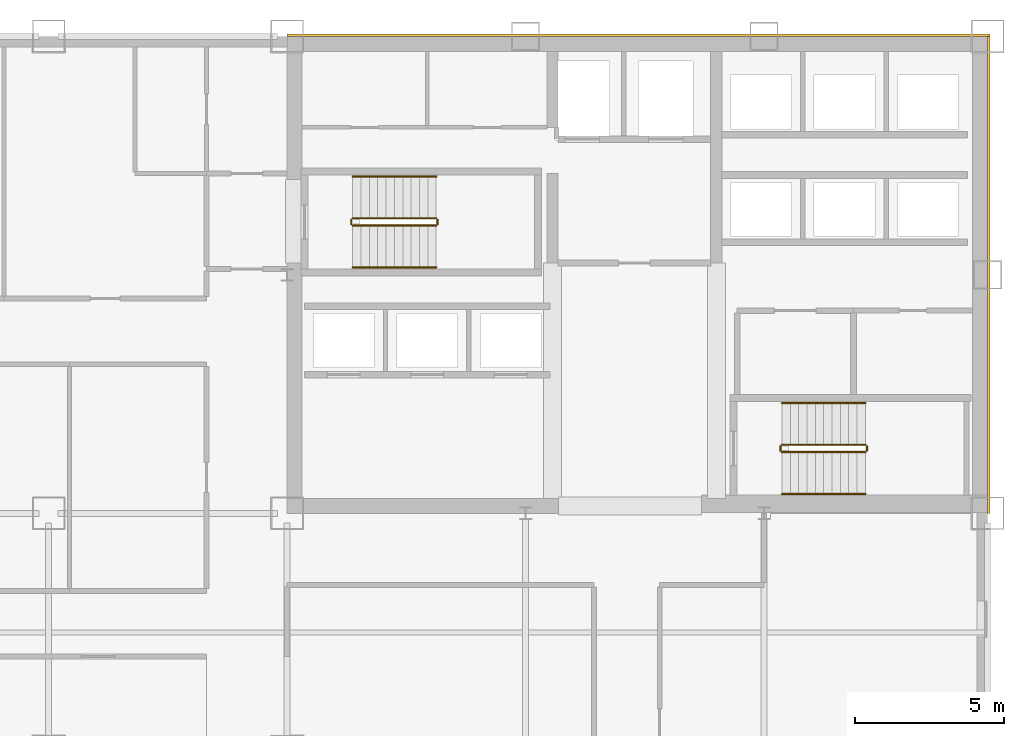
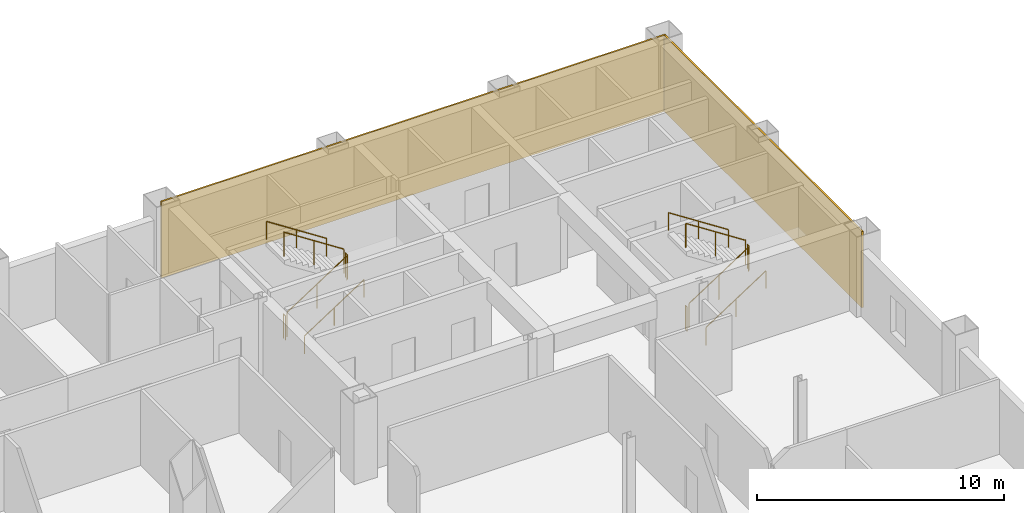
# One storey, part 10 of 10: 12 railings, 2 coverings.
"""IFC4 building model written with IfcOpenShell, lengths in metres."""

from ifc_helpers import new_model, si_unit, direction, frame, origin, origin_2d, place, context, subcontext, project, spatial, rectangle, circle, extrude, material, layer, layer_set, type_object, element, save


model = new_model("IFC4")

# Units and contexts
model_context = context("Model", 3, precision=1e-05, world=origin(), true_north=direction((0.0, 1.0)))
body_context = subcontext(model_context, "Body", "Model", "MODEL_VIEW")
ifc_project = project(units=[si_unit("LENGTHUNIT", "METRE"), si_unit("AREAUNIT", "SQUARE_METRE"), si_unit("VOLUMEUNIT", "CUBIC_METRE"), si_unit("PLANEANGLEUNIT", "RADIAN"), si_unit("MASSUNIT", "GRAM", prefix="KILO")], contexts=[model_context])

# Site, building, storey
site_placement = place(None, origin())
site = spatial("IfcSite", under=ifc_project, at=site_placement, CompositionType="ELEMENT")
building_placement = place(site_placement, origin())
building = spatial("IfcBuilding", under=site, at=building_placement, Name="Qianrong Seaharbour Tower", CompositionType="ELEMENT")
storey_placement = place(building_placement, frame((0.0, 0.0, 183.0)))
storey = spatial("IfcBuildingStorey", under=building, at=storey_placement, Name="L44", CompositionType="ELEMENT", Elevation=183.0)

# Coverings
ifc_material_1 = material(Name="Unitised red brick cladding on Precast concrete C45/55", Category="masonry")
ifc_layer = layer(ifc_material_1, 0.080078125)
ifc_layer_set = layer_set([ifc_layer], Name="Unitised red brick cladding on Precast concrete C45/55")
covering_type = type_object("IfcCoveringType", Name="COV-CLAD-RED-BRICK-80", PredefinedType="CLADDING", material=ifc_layer_set)
covering_1_placement = place(storey_placement, frame((52.2900390625, 52.0400390625, 0.0), z_axis=(0.0, 0.0, 1.0), x_axis=(1.0, 0.0, 0.0)))
element("IfcCovering", 1, at=covering_1_placement, inside=storey, type_object=covering_type, Name="L44 North Core Brick Veneer Cladding", PredefinedType="CLADDING", context=body_context, shape_type="SweptSolid", body=[
    extrude(rectangle(XDim=23.580078125, YDim=0.080078125, at=origin_2d()), origin(), (0.0, 0.0, 1.0), 3.764892578125),
])
covering_2_placement = place(storey_placement, frame((64.0400390625, 44.0, 0.0), z_axis=(0.0, 0.0, 1.0), x_axis=(1.0, 0.0, 0.0)))
element("IfcCovering", 2, at=covering_2_placement, inside=storey, type_object=covering_type, Name="L44 East Core Brick Veneer Cladding", PredefinedType="CLADDING", context=body_context, shape_type="SweptSolid", body=[
    extrude(rectangle(XDim=0.080078125, YDim=16.0, at=origin_2d()), origin(), (0.0, 0.0, 1.0), 3.764892578125),
])

# Railings
ifc_material_2 = material(Name="Galvanized painted steel SN400B stair guard", Category="steel")
railing_type_1 = type_object("IfcRailingType", Name="RAIL-STAIR-GUARD-1220", PredefinedType="GUARDRAIL", material=ifc_material_2)
railing_1_placement = place(storey_placement, frame((42.699951171875, 45.64990234375, 0.181884765625)))
element("IfcRailing", 3, at=railing_1_placement, inside=storey, type_object=railing_type_1, Name="L44 ST-1 stair guard 1", PredefinedType="GUARDRAIL", context=body_context, shape_type="SweptSolid", body=[
    extrude(circle(Radius=0.02392578125, at=origin_2d()), frame((0.0, 0.0, 1.19580078125), z_axis=(0.838705829183, 0.0, 0.544584733623), x_axis=(0.0, 1.0, 0.0)), (0.0, 0.0, 1.0), 3.338623046875),
    extrude(circle(Radius=0.02099609375, at=origin_2d()), origin(), (0.0, 0.0, 1.0), 1.171875),
    extrude(circle(Radius=0.02099609375, at=origin_2d()), frame((1.39990234375, 0.0, 0.9091796875)), (0.0, 0.0, 1.0), 1.171875),
    extrude(circle(Radius=0.02099609375, at=origin_2d()), frame((2.800048828125, 0.0, 1.818115234375)), (0.0, 0.0, 1.0), 1.171875),
])
railing_2_placement = place(storey_placement, frame((45.550048828125, 45.699951171875, 2.0)))
element("IfcRailing", 4, at=railing_2_placement, inside=storey, type_object=railing_type_1, Name="L44 ST-1 stair guard 2", PredefinedType="GUARDRAIL", context=body_context, shape_type="SweptSolid", body=[
    extrude(circle(Radius=0.02392578125, at=origin_2d()), frame((0.0, 0.0, 1.19580078125), z_axis=(0.0, 1.0, 0.0), x_axis=(-1.0, 0.0, 0.0)), (0.0, 0.0, 1.0), 0.150146484375),
    extrude(circle(Radius=0.02099609375, at=origin_2d()), origin(), (0.0, 0.0, 1.0), 1.171875),
    extrude(circle(Radius=0.02099609375, at=origin_2d()), frame((0.0, 0.150146484375, 0.0)), (0.0, 0.0, 1.0), 1.171875),
])
railing_3_placement = place(storey_placement, frame((45.5, 45.89990234375, 2.181884765625)))
element("IfcRailing", 5, at=railing_3_placement, inside=storey, type_object=railing_type_1, Name="L44 ST-1 stair guard 3", PredefinedType="GUARDRAIL", context=body_context, shape_type="SweptSolid", body=[
    extrude(circle(Radius=0.02392578125, at=origin_2d()), frame((0.0, 0.0, 1.19580078125), z_axis=(-0.838705829183, 0.0, 0.544584733623), x_axis=(0.0, -1.0, 0.0)), (0.0, 0.0, 1.0), 3.338623046875),
    extrude(circle(Radius=0.02099609375, at=origin_2d()), origin(), (0.0, 0.0, 1.0), 1.171875),
    extrude(circle(Radius=0.02099609375, at=origin_2d()), frame((-1.39990234375, 0.0, 0.9091796875)), (0.0, 0.0, 1.0), 1.171875),
    extrude(circle(Radius=0.02099609375, at=origin_2d()), frame((-2.800048828125, 0.0, 1.818115234375)), (0.0, 0.0, 1.0), 1.171875),
])
railing_4_placement = place(storey_placement, frame((42.64990234375, 45.699951171875, 0.0)))
element("IfcRailing", 6, at=railing_4_placement, inside=storey, type_object=railing_type_1, Name="L44 ST-1 stair guard 4", PredefinedType="GUARDRAIL", context=body_context, shape_type="SweptSolid", body=[
    extrude(circle(Radius=0.02392578125, at=origin_2d()), frame((0.0, 0.0, 1.19580078125), z_axis=(0.0, 1.0, 0.0), x_axis=(-1.0, 0.0, 0.0)), (0.0, 0.0, 1.0), 0.150146484375),
    extrude(circle(Radius=0.02099609375, at=origin_2d()), origin(), (0.0, 0.0, 1.0), 1.171875),
    extrude(circle(Radius=0.02099609375, at=origin_2d()), frame((0.0, 0.150146484375, 0.0)), (0.0, 0.0, 1.0), 1.171875),
])
railing_5_placement = place(storey_placement, frame((57.10009765625, 38.050048828125, 0.181884765625)))
element("IfcRailing", 7, at=railing_5_placement, inside=storey, type_object=railing_type_1, Name="L44 ST-2 stair guard 1", PredefinedType="GUARDRAIL", context=body_context, shape_type="SweptSolid", body=[
    extrude(circle(Radius=0.02392578125, at=origin_2d()), frame((0.0, 0.0, 1.19580078125), z_axis=(0.83868413941, 0.0, 0.544618136222), x_axis=(0.0, 1.0, 0.0)), (0.0, 0.0, 1.0), 3.33837890625),
    extrude(circle(Radius=0.02099609375, at=origin_2d()), origin(), (0.0, 0.0, 1.0), 1.171875),
    extrude(circle(Radius=0.02099609375, at=origin_2d()), frame((1.39990234375, 0.0, 0.9091796875)), (0.0, 0.0, 1.0), 1.171875),
    extrude(circle(Radius=0.02099609375, at=origin_2d()), frame((2.7998046875, 0.0, 1.818115234375)), (0.0, 0.0, 1.0), 1.171875),
])
railing_6_placement = place(storey_placement, frame((59.949951171875, 38.10009765625, 2.0)))
element("IfcRailing", 8, at=railing_6_placement, inside=storey, type_object=railing_type_1, Name="L44 ST-2 stair guard 2", PredefinedType="GUARDRAIL", context=body_context, shape_type="SweptSolid", body=[
    extrude(circle(Radius=0.02392578125, at=origin_2d()), frame((0.0, 0.0, 1.19580078125), z_axis=(0.0, 1.0, 0.0), x_axis=(-1.0, 0.0, 0.0)), (0.0, 0.0, 1.0), 0.14990234375),
    extrude(circle(Radius=0.02099609375, at=origin_2d()), origin(), (0.0, 0.0, 1.0), 1.171875),
    extrude(circle(Radius=0.02099609375, at=origin_2d()), frame((0.0, 0.14990234375, 0.0)), (0.0, 0.0, 1.0), 1.171875),
])
railing_7_placement = place(storey_placement, frame((59.89990234375, 38.300048828125, 2.181884765625)))
element("IfcRailing", 9, at=railing_7_placement, inside=storey, type_object=railing_type_1, Name="L44 ST-2 stair guard 3", PredefinedType="GUARDRAIL", context=body_context, shape_type="SweptSolid", body=[
    extrude(circle(Radius=0.02392578125, at=origin_2d()), frame((0.0, 0.0, 1.19580078125), z_axis=(-0.83868413941, 0.0, 0.544618136222), x_axis=(0.0, -1.0, 0.0)), (0.0, 0.0, 1.0), 3.33837890625),
    extrude(circle(Radius=0.02099609375, at=origin_2d()), origin(), (0.0, 0.0, 1.0), 1.171875),
    extrude(circle(Radius=0.02099609375, at=origin_2d()), frame((-1.39990234375, 0.0, 0.9091796875)), (0.0, 0.0, 1.0), 1.171875),
    extrude(circle(Radius=0.02099609375, at=origin_2d()), frame((-2.7998046875, 0.0, 1.818115234375)), (0.0, 0.0, 1.0), 1.171875),
])
railing_8_placement = place(storey_placement, frame((57.050048828125, 38.10009765625, 0.0)))
element("IfcRailing", 10, at=railing_8_placement, inside=storey, type_object=railing_type_1, Name="L44 ST-2 stair guard 4", PredefinedType="GUARDRAIL", context=body_context, shape_type="SweptSolid", body=[
    extrude(circle(Radius=0.02392578125, at=origin_2d()), frame((0.0, 0.0, 1.19580078125), z_axis=(0.0, 1.0, 0.0), x_axis=(-1.0, 0.0, 0.0)), (0.0, 0.0, 1.0), 0.14990234375),
    extrude(circle(Radius=0.02099609375, at=origin_2d()), origin(), (0.0, 0.0, 1.0), 1.171875),
    extrude(circle(Radius=0.02099609375, at=origin_2d()), frame((0.0, 0.14990234375, 0.0)), (0.0, 0.0, 1.0), 1.171875),
])
ifc_material_3 = material(Name="Stainless steel SUS316L continuous handrail", Category="steel")
railing_type_2 = type_object("IfcRailingType", Name="RAIL-STAIR-HANDRAIL-900", PredefinedType="HANDRAIL", material=ifc_material_3)
railing_9_placement = place(storey_placement, frame((42.699951171875, 44.25, 0.181884765625)))
element("IfcRailing", 11, at=railing_9_placement, inside=storey, type_object=railing_type_2, Name="L44 ST-1 stair handrail 1", PredefinedType="HANDRAIL", context=body_context, shape_type="SweptSolid", body=[
    extrude(circle(Radius=0.02392578125, at=origin_2d()), frame((0.0, 0.0, 0.8759765625), z_axis=(0.838705829183, 0.0, 0.544584733623), x_axis=(0.0, 1.0, 0.0)), (0.0, 0.0, 1.0), 3.338623046875),
    extrude(circle(Radius=0.02099609375, at=origin_2d()), origin(), (0.0, 0.0, 1.0), 0.851806640625),
    extrude(circle(Radius=0.02099609375, at=origin_2d()), frame((1.39990234375, 0.0, 0.9091796875)), (0.0, 0.0, 1.0), 0.851806640625),
    extrude(circle(Radius=0.02099609375, at=origin_2d()), frame((2.800048828125, 0.0, 1.818115234375)), (0.0, 0.0, 1.0), 0.851806640625),
])
railing_10_placement = place(storey_placement, frame((45.5, 47.300048828125, 2.181884765625)))
element("IfcRailing", 12, at=railing_10_placement, inside=storey, type_object=railing_type_2, Name="L44 ST-1 stair handrail 2", PredefinedType="HANDRAIL", context=body_context, shape_type="SweptSolid", body=[
    extrude(circle(Radius=0.02392578125, at=origin_2d()), frame((0.0, 0.0, 0.8759765625), z_axis=(-0.838705829183, 0.0, 0.544584733623), x_axis=(0.0, -1.0, 0.0)), (0.0, 0.0, 1.0), 3.338623046875),
    extrude(circle(Radius=0.02099609375, at=origin_2d()), origin(), (0.0, 0.0, 1.0), 0.851806640625),
    extrude(circle(Radius=0.02099609375, at=origin_2d()), frame((-1.39990234375, 0.0, 0.9091796875)), (0.0, 0.0, 1.0), 0.851806640625),
    extrude(circle(Radius=0.02099609375, at=origin_2d()), frame((-2.800048828125, 0.0, 1.818115234375)), (0.0, 0.0, 1.0), 0.851806640625),
])
railing_11_placement = place(storey_placement, frame((57.10009765625, 36.64990234375, 0.181884765625)))
element("IfcRailing", 13, at=railing_11_placement, inside=storey, type_object=railing_type_2, Name="L44 ST-2 stair handrail 1", PredefinedType="HANDRAIL", context=body_context, shape_type="SweptSolid", body=[
    extrude(circle(Radius=0.02392578125, at=origin_2d()), frame((0.0, 0.0, 0.8759765625), z_axis=(0.83868413941, 0.0, 0.544618136222), x_axis=(0.0, 1.0, 0.0)), (0.0, 0.0, 1.0), 3.33837890625),
    extrude(circle(Radius=0.02099609375, at=origin_2d()), origin(), (0.0, 0.0, 1.0), 0.851806640625),
    extrude(circle(Radius=0.02099609375, at=origin_2d()), frame((1.39990234375, 0.0, 0.9091796875)), (0.0, 0.0, 1.0), 0.851806640625),
    extrude(circle(Radius=0.02099609375, at=origin_2d()), frame((2.7998046875, 0.0, 1.818115234375)), (0.0, 0.0, 1.0), 0.851806640625),
])
railing_12_placement = place(storey_placement, frame((59.89990234375, 39.699951171875, 2.181884765625)))
element("IfcRailing", 14, at=railing_12_placement, inside=storey, type_object=railing_type_2, Name="L44 ST-2 stair handrail 2", PredefinedType="HANDRAIL", context=body_context, shape_type="SweptSolid", body=[
    extrude(circle(Radius=0.02392578125, at=origin_2d()), frame((0.0, 0.0, 0.8759765625), z_axis=(-0.83868413941, 0.0, 0.544618136222), x_axis=(0.0, -1.0, 0.0)), (0.0, 0.0, 1.0), 3.33837890625),
    extrude(circle(Radius=0.02099609375, at=origin_2d()), origin(), (0.0, 0.0, 1.0), 0.851806640625),
    extrude(circle(Radius=0.02099609375, at=origin_2d()), frame((-1.39990234375, 0.0, 0.9091796875)), (0.0, 0.0, 1.0), 0.851806640625),
    extrude(circle(Radius=0.02099609375, at=origin_2d()), frame((-2.7998046875, 0.0, 1.818115234375)), (0.0, 0.0, 1.0), 0.851806640625),
])

save(model, "model.ifc")
